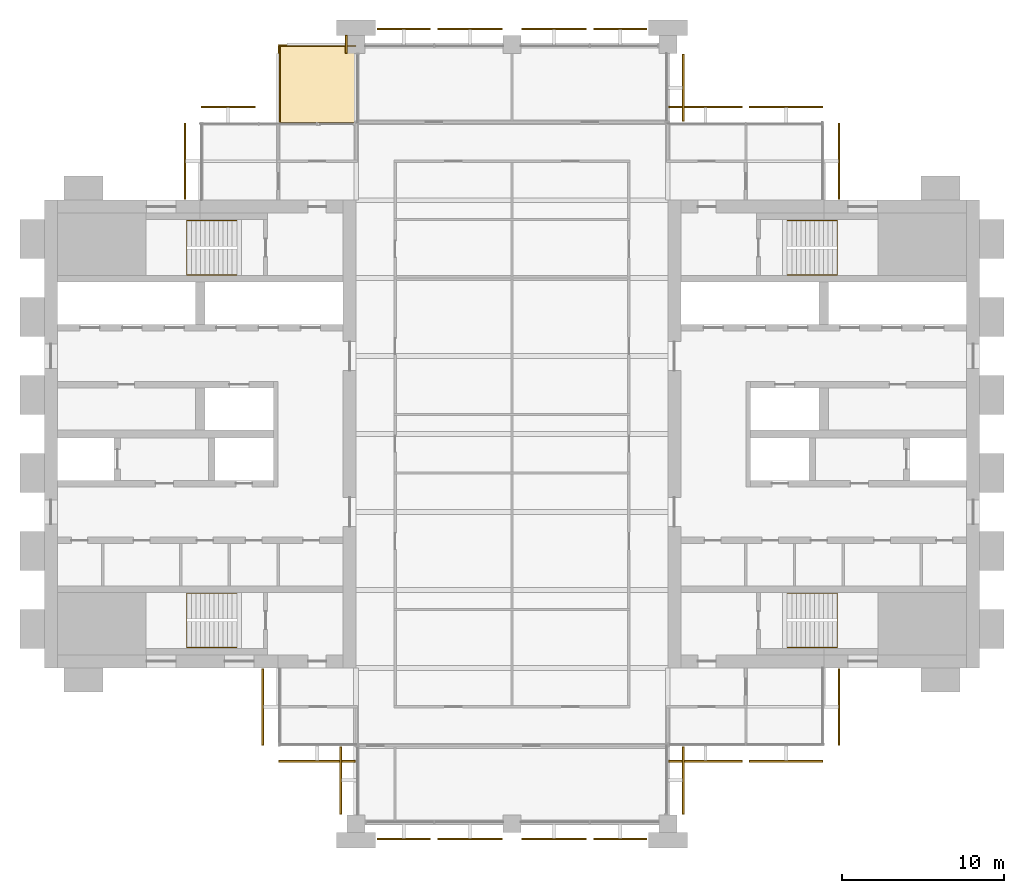
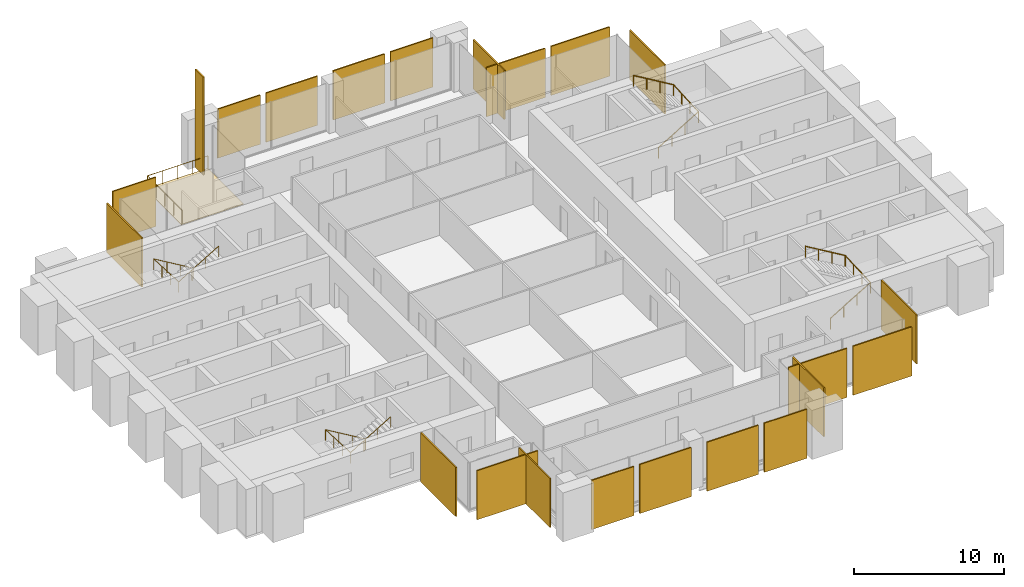
# One storey, part 13 of 13: 23 coverings, 5 railings.
"""IFC4 building model written with IfcOpenShell, lengths in metres."""

from ifc_helpers import new_model, si_unit, direction, frame, origin, origin_2d, place, context, subcontext, project, spatial, polyline, rectangle, circle, outline, extrude, material, layer, layer_set, type_object, element, save


model = new_model("IFC4")

# Units and contexts
model_context = context("Model", 3, precision=1e-05, world=origin(), true_north=direction((0.0, 1.0)))
body_context = subcontext(model_context, "Body", "Model", "MODEL_VIEW")
ifc_project = project(units=[si_unit("LENGTHUNIT", "METRE"), si_unit("AREAUNIT", "SQUARE_METRE"), si_unit("VOLUMEUNIT", "CUBIC_METRE"), si_unit("PLANEANGLEUNIT", "RADIAN"), si_unit("MASSUNIT", "GRAM", prefix="KILO")], contexts=[model_context])

# Site, building, storey
site_placement = place(None, origin())
site = spatial("IfcSite", under=ifc_project, at=site_placement, CompositionType="ELEMENT")
building_placement = place(site_placement, origin())
building = spatial("IfcBuilding", under=site, at=building_placement, Name="Baori Bourse Tower", CompositionType="ELEMENT")
storey_placement = place(building_placement, frame((0.0, 0.0, 229.199951171875)))
storey = spatial("IfcBuildingStorey", under=building, at=storey_placement, Name="L50", CompositionType="ELEMENT", Elevation=229.199951171875)

# Railings
ifc_material_1 = material(Name="Powder-coated steel balustrade", Category="steel")
railing_type_1 = type_object("IfcRailingType", Name="Core stair handrail", PredefinedType="HANDRAIL", material=ifc_material_1)
railing_1_placement = place(storey_placement, frame((11.85009765625, 14.199951171875, 0.166748046875)))
element("IfcRailing", 1, at=railing_1_placement, inside=storey, type_object=railing_type_1, Name="L50 ST1 stair handrail 1", PredefinedType="HANDRAIL", context=body_context, shape_type="SweptSolid", body=[
    extrude(circle(Radius=0.02392578125, at=origin_2d()), frame((0.0, 0.0, 0.8759765625), z_axis=(-0.859308565015, 0.0, 0.511457515432), x_axis=(0.0, -1.0, 0.0)), (0.0, 0.0, 1.0), 3.58447265625),
    extrude(circle(Radius=0.02392578125, at=origin_2d()), frame((-3.080078125, 0.0, 2.708984375), z_axis=(0.0, -0.998763387249, 0.04971615724), x_axis=(1.0, 0.0, 0.0)), (0.0, 0.0, 1.0), 3.35400390625),
    extrude(circle(Radius=0.02392578125, at=origin_2d()), frame((-3.080078125, -3.349853515625, 2.8759765625), z_axis=(0.859308565015, 0.0, 0.511457515432), x_axis=(0.0, 1.0, 0.0)), (0.0, 0.0, 1.0), 3.58447265625),
    extrude(circle(Radius=0.02099609375, at=origin_2d()), origin(), (0.0, 0.0, 1.0), 0.851806640625),
    extrude(circle(Radius=0.02099609375, at=origin_2d()), frame((-1.026611328125, 0.0, 0.611083984375)), (0.0, 0.0, 1.0), 0.851806640625),
    extrude(circle(Radius=0.02099609375, at=origin_2d()), frame((-2.053466796875, 0.0, 1.22216796875)), (0.0, 0.0, 1.0), 0.851806640625),
    extrude(circle(Radius=0.02099609375, at=origin_2d()), frame((-3.080078125, 0.0, 1.833251953125)), (0.0, 0.0, 1.0), 0.851806640625),
    extrude(circle(Radius=0.02099609375, at=origin_2d()), frame((-3.080078125, -1.11669921875, 1.888916015625)), (0.0, 0.0, 1.0), 0.851806640625),
    extrude(circle(Radius=0.02099609375, at=origin_2d()), frame((-3.080078125, -2.233154296875, 1.9443359375)), (0.0, 0.0, 1.0), 0.851806640625),
    extrude(circle(Radius=0.02099609375, at=origin_2d()), frame((-3.080078125, -3.349853515625, 2.0)), (0.0, 0.0, 1.0), 0.851806640625),
    extrude(circle(Radius=0.02099609375, at=origin_2d()), frame((-2.053466796875, -3.349853515625, 2.611083984375)), (0.0, 0.0, 1.0), 0.851806640625),
    extrude(circle(Radius=0.02099609375, at=origin_2d()), frame((-1.026611328125, -3.349853515625, 3.22216796875)), (0.0, 0.0, 1.0), 0.851806640625),
    extrude(circle(Radius=0.02099609375, at=origin_2d()), frame((0.0, -3.349853515625, 3.833251953125)), (0.0, 0.0, 1.0), 0.851806640625),
])
railing_2_placement = place(storey_placement, frame((11.85009765625, 37.14990234375, 0.166748046875)))
element("IfcRailing", 2, at=railing_2_placement, inside=storey, type_object=railing_type_1, Name="L50 ST2 stair handrail 1", PredefinedType="HANDRAIL", context=body_context, shape_type="SweptSolid", body=[
    extrude(circle(Radius=0.02392578125, at=origin_2d()), frame((0.0, 0.0, 0.8759765625), z_axis=(-0.859308565015, 0.0, 0.511457515432), x_axis=(0.0, -1.0, 0.0)), (0.0, 0.0, 1.0), 3.58447265625),
    extrude(circle(Radius=0.02392578125, at=origin_2d()), frame((-3.080078125, 0.0, 2.708984375), z_axis=(0.0, -0.998763387249, 0.04971615724), x_axis=(1.0, 0.0, 0.0)), (0.0, 0.0, 1.0), 3.35400390625),
    extrude(circle(Radius=0.02392578125, at=origin_2d()), frame((-3.080078125, -3.349853515625, 2.8759765625), z_axis=(0.859308565015, 0.0, 0.511457515432), x_axis=(0.0, 1.0, 0.0)), (0.0, 0.0, 1.0), 3.58447265625),
    extrude(circle(Radius=0.02099609375, at=origin_2d()), origin(), (0.0, 0.0, 1.0), 0.851806640625),
    extrude(circle(Radius=0.02099609375, at=origin_2d()), frame((-1.026611328125, 0.0, 0.611083984375)), (0.0, 0.0, 1.0), 0.851806640625),
    extrude(circle(Radius=0.02099609375, at=origin_2d()), frame((-2.053466796875, 0.0, 1.22216796875)), (0.0, 0.0, 1.0), 0.851806640625),
    extrude(circle(Radius=0.02099609375, at=origin_2d()), frame((-3.080078125, 0.0, 1.833251953125)), (0.0, 0.0, 1.0), 0.851806640625),
    extrude(circle(Radius=0.02099609375, at=origin_2d()), frame((-3.080078125, -1.11669921875, 1.888916015625)), (0.0, 0.0, 1.0), 0.851806640625),
    extrude(circle(Radius=0.02099609375, at=origin_2d()), frame((-3.080078125, -2.233154296875, 1.9443359375)), (0.0, 0.0, 1.0), 0.851806640625),
    extrude(circle(Radius=0.02099609375, at=origin_2d()), frame((-3.080078125, -3.349853515625, 2.0)), (0.0, 0.0, 1.0), 0.851806640625),
    extrude(circle(Radius=0.02099609375, at=origin_2d()), frame((-2.053466796875, -3.349853515625, 2.611083984375)), (0.0, 0.0, 1.0), 0.851806640625),
    extrude(circle(Radius=0.02099609375, at=origin_2d()), frame((-1.026611328125, -3.349853515625, 3.22216796875)), (0.0, 0.0, 1.0), 0.851806640625),
    extrude(circle(Radius=0.02099609375, at=origin_2d()), frame((0.0, -3.349853515625, 3.833251953125)), (0.0, 0.0, 1.0), 0.851806640625),
])
railing_3_placement = place(storey_placement, frame((45.75, 10.85009765625, 0.166748046875)))
element("IfcRailing", 3, at=railing_3_placement, inside=storey, type_object=railing_type_1, Name="L50 ST3 stair handrail 1", PredefinedType="HANDRAIL", context=body_context, shape_type="SweptSolid", body=[
    extrude(circle(Radius=0.02392578125, at=origin_2d()), frame((0.0, 0.0, 0.8759765625), z_axis=(0.859308565015, 0.0, 0.511457515432), x_axis=(0.0, 1.0, 0.0)), (0.0, 0.0, 1.0), 3.58447265625),
    extrude(circle(Radius=0.02392578125, at=origin_2d()), frame((3.080078125, 0.0, 2.708984375), z_axis=(0.0, 0.998763387249, 0.04971615724), x_axis=(-1.0, 0.0, 0.0)), (0.0, 0.0, 1.0), 3.35400390625),
    extrude(circle(Radius=0.02392578125, at=origin_2d()), frame((3.080078125, 3.349853515625, 2.8759765625), z_axis=(-0.859308565015, 0.0, 0.511457515432), x_axis=(0.0, -1.0, 0.0)), (0.0, 0.0, 1.0), 3.58447265625),
    extrude(circle(Radius=0.02099609375, at=origin_2d()), origin(), (0.0, 0.0, 1.0), 0.851806640625),
    extrude(circle(Radius=0.02099609375, at=origin_2d()), frame((1.026611328125, 0.0, 0.611083984375)), (0.0, 0.0, 1.0), 0.851806640625),
    extrude(circle(Radius=0.02099609375, at=origin_2d()), frame((2.053466796875, 0.0, 1.22216796875)), (0.0, 0.0, 1.0), 0.851806640625),
    extrude(circle(Radius=0.02099609375, at=origin_2d()), frame((3.080078125, 0.0, 1.833251953125)), (0.0, 0.0, 1.0), 0.851806640625),
    extrude(circle(Radius=0.02099609375, at=origin_2d()), frame((3.080078125, 1.11669921875, 1.888916015625)), (0.0, 0.0, 1.0), 0.851806640625),
    extrude(circle(Radius=0.02099609375, at=origin_2d()), frame((3.080078125, 2.233154296875, 1.9443359375)), (0.0, 0.0, 1.0), 0.851806640625),
    extrude(circle(Radius=0.02099609375, at=origin_2d()), frame((3.080078125, 3.349853515625, 2.0)), (0.0, 0.0, 1.0), 0.851806640625),
    extrude(circle(Radius=0.02099609375, at=origin_2d()), frame((2.053466796875, 3.349853515625, 2.611083984375)), (0.0, 0.0, 1.0), 0.851806640625),
    extrude(circle(Radius=0.02099609375, at=origin_2d()), frame((1.026611328125, 3.349853515625, 3.22216796875)), (0.0, 0.0, 1.0), 0.851806640625),
    extrude(circle(Radius=0.02099609375, at=origin_2d()), frame((0.0, 3.349853515625, 3.833251953125)), (0.0, 0.0, 1.0), 0.851806640625),
])
railing_4_placement = place(storey_placement, frame((45.75, 33.800048828125, 0.166748046875)))
element("IfcRailing", 4, at=railing_4_placement, inside=storey, type_object=railing_type_1, Name="L50 ST4 stair handrail 1", PredefinedType="HANDRAIL", context=body_context, shape_type="SweptSolid", body=[
    extrude(circle(Radius=0.02392578125, at=origin_2d()), frame((0.0, 0.0, 0.8759765625), z_axis=(0.859308565015, 0.0, 0.511457515432), x_axis=(0.0, 1.0, 0.0)), (0.0, 0.0, 1.0), 3.58447265625),
    extrude(circle(Radius=0.02392578125, at=origin_2d()), frame((3.080078125, 0.0, 2.708984375), z_axis=(0.0, 0.998763387249, 0.04971615724), x_axis=(-1.0, 0.0, 0.0)), (0.0, 0.0, 1.0), 3.35400390625),
    extrude(circle(Radius=0.02392578125, at=origin_2d()), frame((3.080078125, 3.349853515625, 2.8759765625), z_axis=(-0.859308565015, 0.0, 0.511457515432), x_axis=(0.0, -1.0, 0.0)), (0.0, 0.0, 1.0), 3.58447265625),
    extrude(circle(Radius=0.02099609375, at=origin_2d()), origin(), (0.0, 0.0, 1.0), 0.851806640625),
    extrude(circle(Radius=0.02099609375, at=origin_2d()), frame((1.026611328125, 0.0, 0.611083984375)), (0.0, 0.0, 1.0), 0.851806640625),
    extrude(circle(Radius=0.02099609375, at=origin_2d()), frame((2.053466796875, 0.0, 1.22216796875)), (0.0, 0.0, 1.0), 0.851806640625),
    extrude(circle(Radius=0.02099609375, at=origin_2d()), frame((3.080078125, 0.0, 1.833251953125)), (0.0, 0.0, 1.0), 0.851806640625),
    extrude(circle(Radius=0.02099609375, at=origin_2d()), frame((3.080078125, 1.11669921875, 1.888916015625)), (0.0, 0.0, 1.0), 0.851806640625),
    extrude(circle(Radius=0.02099609375, at=origin_2d()), frame((3.080078125, 2.233154296875, 1.9443359375)), (0.0, 0.0, 1.0), 0.851806640625),
    extrude(circle(Radius=0.02099609375, at=origin_2d()), frame((3.080078125, 3.349853515625, 2.0)), (0.0, 0.0, 1.0), 0.851806640625),
    extrude(circle(Radius=0.02099609375, at=origin_2d()), frame((2.053466796875, 3.349853515625, 2.611083984375)), (0.0, 0.0, 1.0), 0.851806640625),
    extrude(circle(Radius=0.02099609375, at=origin_2d()), frame((1.026611328125, 3.349853515625, 3.22216796875)), (0.0, 0.0, 1.0), 0.851806640625),
    extrude(circle(Radius=0.02099609375, at=origin_2d()), frame((0.0, 3.349853515625, 3.833251953125)), (0.0, 0.0, 1.0), 0.851806640625),
])
ifc_material_2 = material(Name="Stainless steel", Category="steel")
railing_type_2 = type_object("IfcRailingType", Name="GD1 Guard", PredefinedType="GUARDRAIL", material=ifc_material_2)
railing_5_placement = place(storey_placement, frame((14.5, 43.22998046875, 0.0400390625)))
element("IfcRailing", 5, at=railing_5_placement, inside=storey, type_object=railing_type_2, Name="Guard terrace NW L50 1", PredefinedType="GUARDRAIL", context=body_context, shape_type="SweptSolid", body=[
    extrude(circle(Radius=0.02392578125, at=origin_2d()), frame((0.0, 0.0, 1.076171875), z_axis=(0.0, 1.0, 0.0), x_axis=(-1.0, 0.0, 0.0)), (0.0, 0.0, 1.0), 4.669921875),
    extrude(circle(Radius=0.02392578125, at=origin_2d()), frame((0.0, 4.669921875, 1.076171875), z_axis=(1.0, 0.0, 0.0), x_axis=(0.0, 1.0, 0.0)), (0.0, 0.0, 1.0), 4.669921875),
    extrude(circle(Radius=0.02099609375, at=origin_2d()), origin(), (0.0, 0.0, 1.0), 1.052001953125),
    extrude(circle(Radius=0.02099609375, at=origin_2d()), frame((0.0, 1.16748046875, 0.0)), (0.0, 0.0, 1.0), 1.052001953125),
    extrude(circle(Radius=0.02099609375, at=origin_2d()), frame((0.0, 2.3349609375, 0.0)), (0.0, 0.0, 1.0), 1.052001953125),
    extrude(circle(Radius=0.02099609375, at=origin_2d()), frame((0.0, 3.50244140625, 0.0)), (0.0, 0.0, 1.0), 1.052001953125),
    extrude(circle(Radius=0.02099609375, at=origin_2d()), frame((0.0, 4.669921875, 0.0)), (0.0, 0.0, 1.0), 1.052001953125),
    extrude(circle(Radius=0.02099609375, at=origin_2d()), frame((1.16748046875, 4.669921875, 0.0)), (0.0, 0.0, 1.0), 1.052001953125),
    extrude(circle(Radius=0.02099609375, at=origin_2d()), frame((2.3349609375, 4.669921875, 0.0)), (0.0, 0.0, 1.0), 1.052001953125),
    extrude(circle(Radius=0.02099609375, at=origin_2d()), frame((3.50244140625, 4.669921875, 0.0)), (0.0, 0.0, 1.0), 1.052001953125),
    extrude(circle(Radius=0.02099609375, at=origin_2d()), frame((4.669921875, 4.669921875, 0.0)), (0.0, 0.0, 1.0), 1.052001953125),
])

# Coverings
ifc_material_3 = material(Name="Pale anodised aluminium", Category="aluminium")
ifc_layer_1 = layer(ifc_material_3, 0.10009765625)
ifc_layer_set_1 = layer_set([ifc_layer_1], Name="OS3 Outer skin screen panel")
covering_type_1 = type_object("IfcCoveringType", Name="OS3 Outer skin screen panel", PredefinedType="CLADDING", material=ifc_layer_set_1)
covering_1_placement = place(storey_placement, frame((0.0, 0.0, -0.159912109375)))
element("IfcCovering", 6, at=covering_1_placement, inside=storey, type_object=covering_type_1, Name="Outer skin screen L50 1", PredefinedType="CLADDING", context=body_context, shape_type="SweptSolid", body=[
    extrude(outline(polyline([(48.89990234375, 43.14990234375), (48.89990234375, 38.449951171875), (49.0, 38.449951171875), (49.0, 43.14990234375), (48.89990234375, 43.14990234375)])), origin(), (0.0, 0.0, 1.0), 4.0),
])
covering_2_placement = place(storey_placement, frame((0.0, 0.0, -0.159912109375)))
element("IfcCovering", 7, at=covering_2_placement, inside=storey, type_object=covering_type_1, Name="Outer skin screen L50 2", PredefinedType="CLADDING", context=body_context, shape_type="SweptSolid", body=[
    extrude(outline(polyline([(43.425048828125, 44.10009765625), (47.949951171875, 44.10009765625), (47.949951171875, 44.199951171875), (43.425048828125, 44.199951171875), (43.425048828125, 44.10009765625)])), origin(), (0.0, 0.0, 1.0), 4.0),
])
covering_3_placement = place(storey_placement, frame((0.0, 0.0, -0.159912109375)))
element("IfcCovering", 8, at=covering_3_placement, inside=storey, type_object=covering_type_1, Name="Outer skin screen L50 3", PredefinedType="CLADDING", context=body_context, shape_type="SweptSolid", body=[
    extrude(outline(polyline([(38.449951171875, 44.10009765625), (42.97509765625, 44.10009765625), (42.97509765625, 44.199951171875), (38.449951171875, 44.199951171875), (38.449951171875, 44.10009765625)])), origin(), (0.0, 0.0, 1.0), 4.0),
])
covering_4_placement = place(storey_placement, frame((0.0, 0.0, -0.159912109375)))
element("IfcCovering", 9, at=covering_4_placement, inside=storey, type_object=covering_type_1, Name="Outer skin screen L50 4", PredefinedType="CLADDING", context=body_context, shape_type="SweptSolid", body=[
    extrude(outline(polyline([(39.300048828125, 47.39990234375), (39.300048828125, 43.25), (39.39990234375, 43.25), (39.39990234375, 47.39990234375), (39.300048828125, 47.39990234375)])), origin(), (0.0, 0.0, 1.0), 4.0),
])
covering_5_placement = place(storey_placement, frame((0.0, 0.0, -0.159912109375)))
element("IfcCovering", 10, at=covering_5_placement, inside=storey, type_object=covering_type_1, Name="Outer skin screen L50 5", PredefinedType="CLADDING", context=body_context, shape_type="SweptSolid", body=[
    extrude(outline(polyline([(33.824951171875, 48.89990234375), (37.10009765625, 48.89990234375), (37.10009765625, 49.0), (33.824951171875, 49.0), (33.824951171875, 48.89990234375)])), origin(), (0.0, 0.0, 1.0), 4.0),
])
covering_6_placement = place(storey_placement, frame((0.0, 0.0, -0.159912109375)))
element("IfcCovering", 11, at=covering_6_placement, inside=storey, type_object=covering_type_1, Name="Outer skin screen L50 6", PredefinedType="CLADDING", context=body_context, shape_type="SweptSolid", body=[
    extrude(outline(polyline([(29.39990234375, 48.89990234375), (33.375, 48.89990234375), (33.375, 49.0), (29.39990234375, 49.0), (29.39990234375, 48.89990234375)])), origin(), (0.0, 0.0, 1.0), 4.0),
])
covering_7_placement = place(storey_placement, frame((0.0, 0.0, -0.159912109375)))
element("IfcCovering", 12, at=covering_7_placement, inside=storey, type_object=covering_type_1, Name="Outer skin screen L50 7", PredefinedType="CLADDING", context=body_context, shape_type="SweptSolid", body=[
    extrude(outline(polyline([(24.22509765625, 48.89990234375), (28.199951171875, 48.89990234375), (28.199951171875, 49.0), (24.22509765625, 49.0), (24.22509765625, 48.89990234375)])), origin(), (0.0, 0.0, 1.0), 4.0),
])
covering_8_placement = place(storey_placement, frame((0.0, 0.0, -0.159912109375)))
element("IfcCovering", 13, at=covering_8_placement, inside=storey, type_object=covering_type_1, Name="Outer skin screen L50 8", PredefinedType="CLADDING", context=body_context, shape_type="SweptSolid", body=[
    extrude(outline(polyline([(20.5, 48.89990234375), (23.77490234375, 48.89990234375), (23.77490234375, 49.0), (20.5, 49.0), (20.5, 48.89990234375)])), origin(), (0.0, 0.0, 1.0), 4.0),
])
covering_9_placement = place(storey_placement, frame((0.0, 0.0, -0.159912109375)))
element("IfcCovering", 14, at=covering_9_placement, inside=storey, type_object=covering_type_1, Name="Outer skin screen L50 9", PredefinedType="CLADDING", context=body_context, shape_type="SweptSolid", body=[
    extrude(outline(polyline([(9.64990234375, 44.10009765625), (12.97509765625, 44.10009765625), (12.97509765625, 44.199951171875), (9.64990234375, 44.199951171875), (9.64990234375, 44.10009765625)])), origin(), (0.0, 0.0, 1.0), 4.0),
])
covering_10_placement = place(storey_placement, frame((0.0, 0.0, -0.159912109375)))
element("IfcCovering", 15, at=covering_10_placement, inside=storey, type_object=covering_type_1, Name="Outer skin screen L50 10", PredefinedType="CLADDING", context=body_context, shape_type="SweptSolid", body=[
    extrude(outline(polyline([(8.699951171875, 38.449951171875), (8.699951171875, 43.14990234375), (8.60009765625, 43.14990234375), (8.60009765625, 38.449951171875), (8.699951171875, 38.449951171875)])), origin(), (0.0, 0.0, 1.0), 4.0),
])
covering_11_placement = place(storey_placement, frame((0.0, 0.0, -0.159912109375)))
element("IfcCovering", 16, at=covering_11_placement, inside=storey, type_object=covering_type_1, Name="Outer skin screen L50 11", PredefinedType="CLADDING", context=body_context, shape_type="SweptSolid", body=[
    extrude(outline(polyline([(13.5, 4.85009765625), (13.5, 9.550048828125), (13.39990234375, 9.550048828125), (13.39990234375, 4.85009765625), (13.5, 4.85009765625)])), origin(), (0.0, 0.0, 1.0), 4.0),
])
covering_12_placement = place(storey_placement, frame((0.0, 0.0, -0.159912109375)))
element("IfcCovering", 17, at=covering_12_placement, inside=storey, type_object=covering_type_1, Name="Outer skin screen L50 12", PredefinedType="CLADDING", context=body_context, shape_type="SweptSolid", body=[
    extrude(outline(polyline([(19.14990234375, 3.89990234375), (14.449951171875, 3.89990234375), (14.449951171875, 3.800048828125), (19.14990234375, 3.800048828125), (19.14990234375, 3.89990234375)])), origin(), (0.0, 0.0, 1.0), 4.0),
])
covering_13_placement = place(storey_placement, frame((0.0, 0.0, -0.159912109375)))
element("IfcCovering", 18, at=covering_13_placement, inside=storey, type_object=covering_type_1, Name="Outer skin screen L50 13", PredefinedType="CLADDING", context=body_context, shape_type="SweptSolid", body=[
    extrude(outline(polyline([(18.300048828125, 0.60009765625), (18.300048828125, 4.75), (18.199951171875, 4.75), (18.199951171875, 0.60009765625), (18.300048828125, 0.60009765625)])), origin(), (0.0, 0.0, 1.0), 4.0),
])
covering_14_placement = place(storey_placement, frame((0.0, 0.0, -0.159912109375)))
element("IfcCovering", 19, at=covering_14_placement, inside=storey, type_object=covering_type_1, Name="Outer skin screen L50 14", PredefinedType="CLADDING", context=body_context, shape_type="SweptSolid", body=[
    extrude(outline(polyline([(23.77490234375, -0.89990234375), (20.5, -0.89990234375), (20.5, -1.0), (23.77490234375, -1.0), (23.77490234375, -0.89990234375)])), origin(), (0.0, 0.0, 1.0), 4.0),
])
covering_15_placement = place(storey_placement, frame((0.0, 0.0, -0.159912109375)))
element("IfcCovering", 20, at=covering_15_placement, inside=storey, type_object=covering_type_1, Name="Outer skin screen L50 15", PredefinedType="CLADDING", context=body_context, shape_type="SweptSolid", body=[
    extrude(outline(polyline([(28.199951171875, -0.89990234375), (24.22509765625, -0.89990234375), (24.22509765625, -1.0), (28.199951171875, -1.0), (28.199951171875, -0.89990234375)])), origin(), (0.0, 0.0, 1.0), 4.0),
])
covering_16_placement = place(storey_placement, frame((0.0, 0.0, -0.159912109375)))
element("IfcCovering", 21, at=covering_16_placement, inside=storey, type_object=covering_type_1, Name="Outer skin screen L50 16", PredefinedType="CLADDING", context=body_context, shape_type="SweptSolid", body=[
    extrude(outline(polyline([(33.375, -0.89990234375), (29.39990234375, -0.89990234375), (29.39990234375, -1.0), (33.375, -1.0), (33.375, -0.89990234375)])), origin(), (0.0, 0.0, 1.0), 4.0),
])
covering_17_placement = place(storey_placement, frame((0.0, 0.0, -0.159912109375)))
element("IfcCovering", 22, at=covering_17_placement, inside=storey, type_object=covering_type_1, Name="Outer skin screen L50 17", PredefinedType="CLADDING", context=body_context, shape_type="SweptSolid", body=[
    extrude(outline(polyline([(37.10009765625, -0.89990234375), (33.824951171875, -0.89990234375), (33.824951171875, -1.0), (37.10009765625, -1.0), (37.10009765625, -0.89990234375)])), origin(), (0.0, 0.0, 1.0), 4.0),
])
covering_18_placement = place(storey_placement, frame((0.0, 0.0, -0.159912109375)))
element("IfcCovering", 23, at=covering_18_placement, inside=storey, type_object=covering_type_1, Name="Outer skin screen L50 18", PredefinedType="CLADDING", context=body_context, shape_type="SweptSolid", body=[
    extrude(outline(polyline([(39.300048828125, 4.75), (39.300048828125, 0.60009765625), (39.39990234375, 0.60009765625), (39.39990234375, 4.75), (39.300048828125, 4.75)])), origin(), (0.0, 0.0, 1.0), 4.0),
])
covering_19_placement = place(storey_placement, frame((0.0, 0.0, -0.159912109375)))
element("IfcCovering", 24, at=covering_19_placement, inside=storey, type_object=covering_type_1, Name="Outer skin screen L50 19", PredefinedType="CLADDING", context=body_context, shape_type="SweptSolid", body=[
    extrude(outline(polyline([(42.97509765625, 3.89990234375), (38.449951171875, 3.89990234375), (38.449951171875, 3.800048828125), (42.97509765625, 3.800048828125), (42.97509765625, 3.89990234375)])), origin(), (0.0, 0.0, 1.0), 4.0),
])
covering_20_placement = place(storey_placement, frame((0.0, 0.0, -0.159912109375)))
element("IfcCovering", 25, at=covering_20_placement, inside=storey, type_object=covering_type_1, Name="Outer skin screen L50 20", PredefinedType="CLADDING", context=body_context, shape_type="SweptSolid", body=[
    extrude(outline(polyline([(47.949951171875, 3.89990234375), (43.425048828125, 3.89990234375), (43.425048828125, 3.800048828125), (47.949951171875, 3.800048828125), (47.949951171875, 3.89990234375)])), origin(), (0.0, 0.0, 1.0), 4.0),
])
covering_21_placement = place(storey_placement, frame((0.0, 0.0, -0.159912109375)))
element("IfcCovering", 26, at=covering_21_placement, inside=storey, type_object=covering_type_1, Name="Outer skin screen L50 21", PredefinedType="CLADDING", context=body_context, shape_type="SweptSolid", body=[
    extrude(outline(polyline([(48.89990234375, 9.550048828125), (48.89990234375, 4.85009765625), (49.0, 4.85009765625), (49.0, 9.550048828125), (48.89990234375, 9.550048828125)])), origin(), (0.0, 0.0, 1.0), 4.0),
])
ifc_material_4 = material(Name="Face brick", Category="masonry")
ifc_layer_2 = layer(ifc_material_4, 0.110107421875)
ifc_layer_set_2 = layer_set([ifc_layer_2], Name="PC1 Brick pier facing")
covering_type_2 = type_object("IfcCoveringType", Name="PC1 Brick pier facing", PredefinedType="CLADDING", material=ifc_layer_set_2)
covering_22_placement = place(storey_placement, frame((18.594970703125, 48.0, 0.0), z_axis=(0.0, 0.0, 1.0), x_axis=(1.0, 0.0, 0.0)))
element("IfcCovering", 27, at=covering_22_placement, inside=storey, type_object=covering_type_2, Name="Brick pier facing L50 1", PredefinedType="CLADDING", context=body_context, shape_type="SweptSolid", body=[
    extrude(rectangle(XDim=0.110107421875, YDim=1.10009765625, at=origin_2d()), origin(), (0.0, 0.0, 1.0), 8.0),
])
ifc_material_5 = material(Name="Granite paving", Category="masonry")
ifc_layer_3 = layer(ifc_material_5, 0.0400390625)
ifc_layer_set_3 = layer_set([ifc_layer_3], Name="PV1 Deck paving")
covering_type_3 = type_object("IfcCoveringType", Name="PV1 Deck paving", PredefinedType="FLOORING", material=ifc_layer_set_3)
covering_23_placement = place(storey_placement, origin())
element("IfcCovering", 28, at=covering_23_placement, inside=storey, type_object=covering_type_3, Name="Terrace paving L50 1", PredefinedType="FLOORING", context=body_context, shape_type="SweptSolid", body=[
    extrude(outline(polyline([(19.199951171875, 48.0), (14.39990234375, 48.0), (14.39990234375, 43.199951171875), (19.199951171875, 43.199951171875), (19.199951171875, 48.0)])), origin(), (0.0, 0.0, 1.0), 0.0400390625),
])

save(model, "model.ifc")
